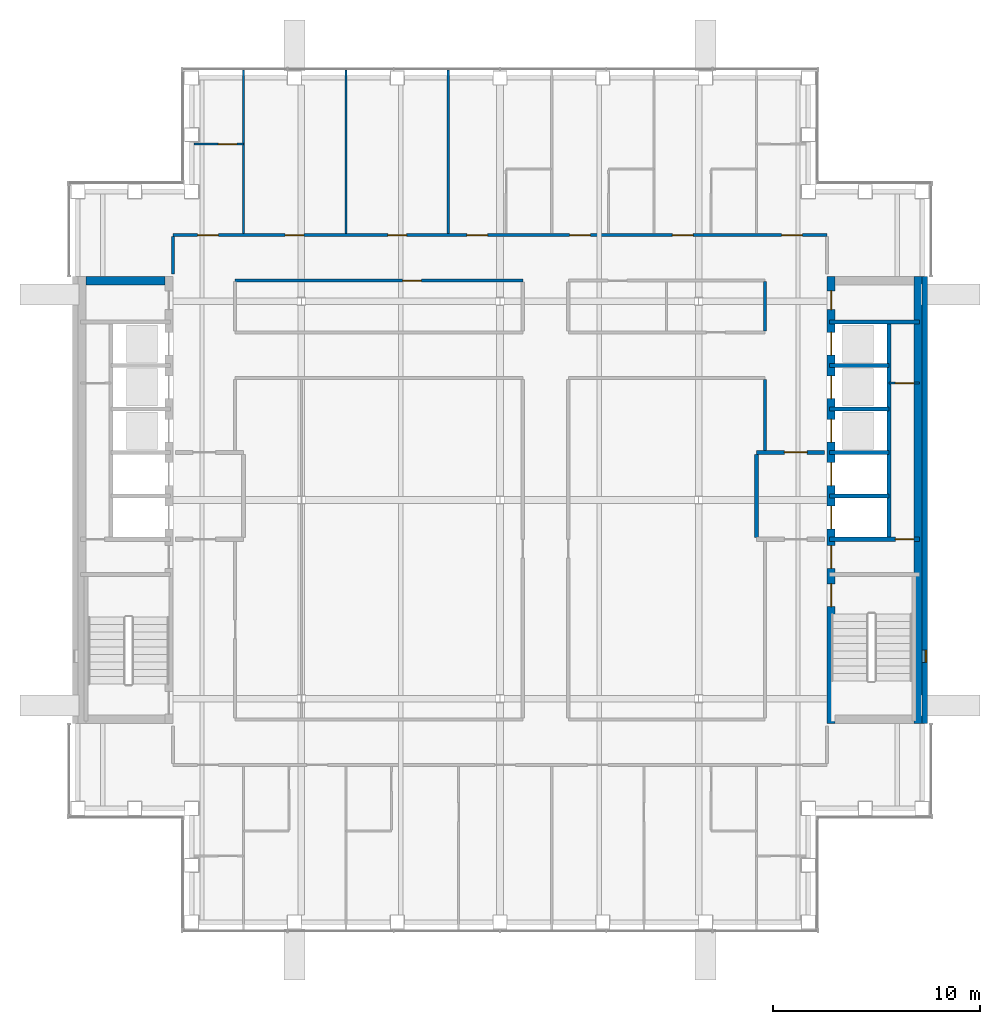
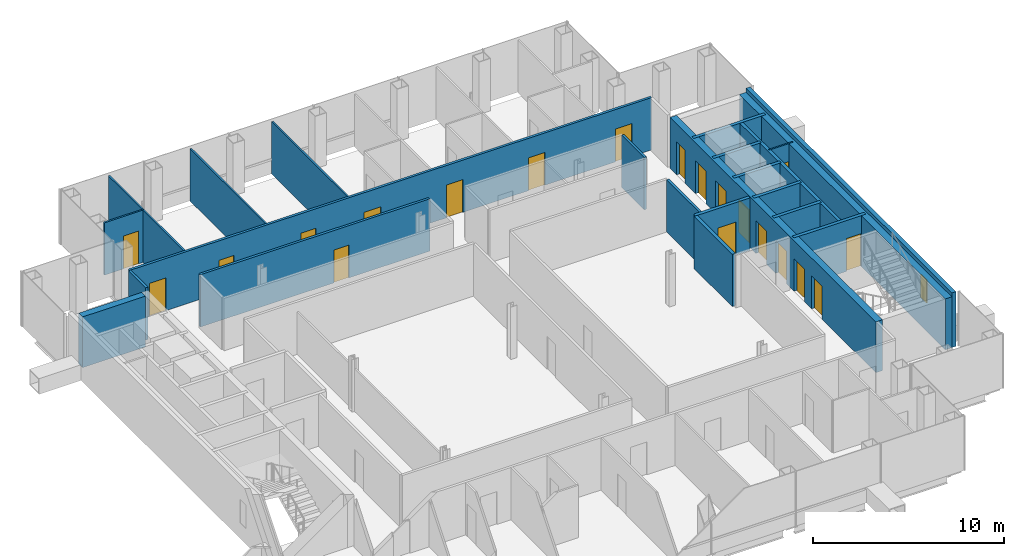
# One storey, part 11 of 14: 23 walls, 20 doors, 1 window, 21 openings.
"""IFC4 building model written with IfcOpenShell, lengths in metres."""

import ifcopenshell
import ifcopenshell.guid

model = None  # the IFC model being written
_history = None  # IfcOwnerHistory: only IFC2X3 demands one
_inside = {}  # id of a spatial element -> (the spatial element, [elements in it])
_under = {}  # id of a project, library or spatial element -> (it, [spatial elements below it])
_declared = {}  # id of a project -> (the project, [libraries it declares])
_typed = {}  # id of a type object -> (the type object, [elements of that type])
_made_of = {}  # id of a material, layer set ... -> (it, [elements and type objects made of it])


def new_model(schema):
    """Start an empty IFC model of exactly this schema.

    Asked for "IFC4X3", IfcOpenShell would pick the latest addendum, in which some entities
    have other attributes; the version numbers below select the first issue.
    IFC2X3 requires an IfcOwnerHistory on every rooted entity: one is made here for all.
    """
    global model, _history
    if schema == "IFC4X3":
        model = ifcopenshell.file(schema_version=(4, 3, 0, 0))
    else:
        model = ifcopenshell.file(schema=schema)
    _inside.clear()
    _under.clear()
    _declared.clear()
    _typed.clear()
    _made_of.clear()
    _history = None
    if model.schema == "IFC2X3":
        org = make("IfcOrganization", Name="unknown")
        user = make(
            "IfcPersonAndOrganization",
            ThePerson=make("IfcPerson", FamilyName="unknown"),
            TheOrganization=org,
        )
        app = make(
            "IfcApplication",
            ApplicationDeveloper=org,
            Version="unknown",
            ApplicationFullName="unknown",
            ApplicationIdentifier="unknown",
        )
        _history = make(
            "IfcOwnerHistory",
            OwningUser=user,
            OwningApplication=app,
            ChangeAction="ADDED",
            CreationDate=0,
        )
    return model


def make(cls, **values):
    """One entity of the class cls with the attributes given. An attribute that is None is left unset."""
    return model.create_entity(
        cls, **{name: value for name, value in values.items() if value is not None}
    )


def rooted(cls, **values):
    """An entity with a GlobalId (a new one), such as an element, a storey or a relation."""
    return make(cls, GlobalId=ifcopenshell.guid.new(), OwnerHistory=_history, **values)


def si_unit(unit_type, name, prefix=None):
    """IfcSIUnit, for example si_unit("LENGTHUNIT", "METRE", prefix="MILLI")."""
    return make("IfcSIUnit", UnitType=unit_type, Prefix=prefix, Name=name)


def assignment(units):
    """IfcUnitAssignment: the units of a project."""
    return None if units is None else make("IfcUnitAssignment", Units=units)


def point(xyz):
    """IfcCartesianPoint."""
    return None if xyz is None else make("IfcCartesianPoint", Coordinates=xyz)


def direction(xyz):
    """IfcDirection."""
    return None if xyz is None else make("IfcDirection", DirectionRatios=xyz)


def frame(location, z_axis=None, x_axis=None):
    """IfcAxis2Placement3D, a coordinate frame: its origin and axes. An axis left out is left unset."""
    return make(
        "IfcAxis2Placement3D",
        Location=point(location),
        Axis=direction(z_axis),
        RefDirection=direction(x_axis),
    )


def frame_2d(location, x_axis=None):
    """IfcAxis2Placement2D, a coordinate frame in the plane: its origin and x axis."""
    return make(
        "IfcAxis2Placement2D", Location=point(location), RefDirection=direction(x_axis)
    )


def origin():
    """The frame at (0, 0, 0) with its axes left unset."""
    return frame((0.0, 0.0, 0.0))


def place(relative_to, where):
    """IfcLocalPlacement: puts the frame where relative to a parent placement (None: the world)."""
    return make(
        "IfcLocalPlacement", PlacementRelTo=relative_to, RelativePlacement=where
    )


def context(
    kind, dimensions, precision=None, world=None, true_north=None, identifier=None
):
    """IfcGeometricRepresentationContext, for example the 3D "Model" context."""
    return make(
        "IfcGeometricRepresentationContext",
        ContextIdentifier=identifier,
        ContextType=kind,
        CoordinateSpaceDimension=dimensions,
        Precision=precision,
        WorldCoordinateSystem=world,
        TrueNorth=true_north,
    )


def subcontext(parent, identifier, kind, view, scale=None):
    """IfcGeometricRepresentationSubContext, for example "Body" below "Model"."""
    return make(
        "IfcGeometricRepresentationSubContext",
        ContextIdentifier=identifier,
        ContextType=kind,
        ParentContext=parent,
        TargetScale=scale,
        TargetView=view,
    )


def project(units=None, contexts=None):
    """IfcProject with its units and contexts."""
    return rooted(
        "IfcProject",
        Name="project",
        RepresentationContexts=contexts,
        UnitsInContext=assignment(units),
    )


def spatial(cls, under=None, at=None, **own):
    """A site, building, storey or space (cls), placed at a placement, below another one or the project."""
    s = rooted(cls, ObjectPlacement=at, **own)
    if under is not None:
        _under.setdefault(under.id(), (under, []))[1].append(s)
    return s


def profile(cls, at=None, kind="AREA", **sizes):
    """A parametric profile (cls). Its sizes go by their IFC names, for example OverallWidth=200.0."""
    return make(cls, ProfileType=kind, Position=at, **sizes)


def rectangle(**sizes):
    """IfcRectangleProfileDef."""
    return profile("IfcRectangleProfileDef", **sizes)


def extrude(swept, where, along, depth):
    """IfcExtrudedAreaSolid: the profile swept, set in the frame where, extruded along a direction by depth."""
    return make(
        "IfcExtrudedAreaSolid",
        SweptArea=swept,
        Position=where,
        ExtrudedDirection=direction(along),
        Depth=depth,
    )


def shape(context_of_items, identifier, shape_type, items):
    """IfcShapeRepresentation: the items that make up one representation, for example the "Body"."""
    return make(
        "IfcShapeRepresentation",
        ContextOfItems=context_of_items,
        RepresentationIdentifier=identifier,
        RepresentationType=shape_type,
        Items=items,
    )


def material(Name=None, Category=None):
    """IfcMaterial."""
    return make("IfcMaterial", Name=Name, Category=Category)


def layer(
    of_material, thickness, ventilated=None, Name=None, Category=None, Priority=None
):
    """IfcMaterialLayer: one layer of a wall or slab, of a material (None: an air gap)."""
    return make(
        "IfcMaterialLayer",
        Material=of_material,
        LayerThickness=thickness,
        IsVentilated=ventilated,
        Name=Name,
        Category=Category,
        Priority=Priority,
    )


def layer_set(layers, Name=None):
    """IfcMaterialLayerSet."""
    return make("IfcMaterialLayerSet", MaterialLayers=layers, LayerSetName=Name)


def made_of(thing, what):
    """Note that an element or type object is made of a material, layer set ...; save() writes the relation."""
    if what is not None:
        _made_of.setdefault(what.id(), (what, []))[1].append(thing)
    return thing


def type_object(cls, material=None, **own):
    """A type object (cls), such as IfcWallType, which elements share."""
    return made_of(rooted(cls, **own), material)


def element(
    cls,
    number,
    at=None,
    inside=None,
    cuts=None,
    type_object=None,
    material=None,
    context=None,
    identifier="Body",
    shape_type=None,
    held_by="IfcProductDefinitionShape",
    body=None,
    shapes=None,
    **own,
):
    """One element of the class cls, such as IfcWall. Its Tag is "e" and its number.

    at: its placement. inside: the storey or other place that contains it. cuts: it is an
    opening in that element (IfcRelVoidsElement). A single representation is given by context,
    identifier, shape_type and body (its items); several are given by shapes. held_by: the class
    of the entity that holds the representations. save() writes the other relations.
    """
    e = rooted(cls, Tag="e%d" % number, ObjectPlacement=at, **own)
    if body is not None:
        shapes = [shape(context, identifier, shape_type, body)]
    if shapes is not None:
        e.Representation = make(held_by, Representations=shapes)
    if inside is not None:
        _inside.setdefault(inside.id(), (inside, []))[1].append(e)
    if cuts is not None:
        rooted(
            "IfcRelVoidsElement", RelatingBuildingElement=cuts, RelatedOpeningElement=e
        )
    if type_object is not None:
        _typed.setdefault(type_object.id(), (type_object, []))[1].append(e)
    return made_of(e, material)


def fill(opening, filler):
    """IfcRelFillsElement: the door or window that sits in an opening."""
    return rooted(
        "IfcRelFillsElement",
        RelatingOpeningElement=opening,
        RelatedBuildingElement=filler,
    )


def aggregate(whole, parts):
    """IfcRelAggregates: a whole, such as a stair, and the parts it consists of."""
    return rooted("IfcRelAggregates", RelatingObject=whole, RelatedObjects=parts)


def save(model, path):
    """Write the relations noted so far, then the file.

    IfcRelAggregates (storeys below a building ...), IfcRelContainedInSpatialStructure (elements
    in a storey), IfcRelDefinesByType, IfcRelAssociatesMaterial and IfcRelDeclares: one each for
    every whole, place, type object, material and project.
    """
    for whole, parts in _under.values():
        aggregate(whole, parts)
    for where, things in _inside.values():
        rooted(
            "IfcRelContainedInSpatialStructure",
            RelatedElements=things,
            RelatingStructure=where,
        )
    for kind, things in _typed.values():
        rooted("IfcRelDefinesByType", RelatedObjects=things, RelatingType=kind)
    for what, things in _made_of.values():
        rooted("IfcRelAssociatesMaterial", RelatedObjects=things, RelatingMaterial=what)
    for by, libraries in _declared.values():
        rooted("IfcRelDeclares", RelatingContext=by, RelatedDefinitions=libraries)
    model.write(path)


model = new_model("IFC4")

# Units and contexts
model_context = context("Model", 3, precision=1e-05, world=origin(), true_north=direction((0.0, 1.0)))
body_context = subcontext(model_context, "Body", "Model", "MODEL_VIEW")
ifc_project = project(units=[si_unit("LENGTHUNIT", "METRE"), si_unit("AREAUNIT", "SQUARE_METRE"), si_unit("VOLUMEUNIT", "CUBIC_METRE"), si_unit("PLANEANGLEUNIT", "RADIAN"), si_unit("MASSUNIT", "GRAM", prefix="KILO")], contexts=[model_context])

# Site, building, storey
site_placement = place(None, origin())
site = spatial("IfcSite", under=ifc_project, at=site_placement, CompositionType="ELEMENT")
building_placement = place(site_placement, origin())
building = spatial("IfcBuilding", under=site, at=building_placement, Name="Cobrizo Arcos Hotel Tower", CompositionType="ELEMENT")
storey_placement = place(building_placement, frame((0.0, 0.0, 208.5)))
storey = spatial("IfcBuildingStorey", under=building, at=storey_placement, Name="L54", CompositionType="ELEMENT", Elevation=208.5)

# Wall, opening, door
ifc_material_1 = material(Name="Gypsum board partition")
ifc_layer_1 = layer(ifc_material_1, 0.14990234375)
ifc_layer_set_1 = layer_set([ifc_layer_1], Name="Corridor wall EI 60 150")
wall_type_1 = type_object("IfcWallType", Name="Corridor wall EI 60 150", PredefinedType="PARTITIONING", material=ifc_layer_set_1)
wall_1_placement = place(storey_placement, frame((-12.800048828125, 10.60009765625, 0.0), z_axis=(0.0, 0.0, 1.0), x_axis=(1.0, 0.0, 0.0)))
wall_1 = element("IfcWall", 1, at=wall_1_placement, inside=storey, type_object=wall_type_1, Name="Partition 033", PredefinedType="PARTITIONING", context=body_context, shape_type="SweptSolid", body=[
    extrude(rectangle(XDim=13.900146484375, YDim=0.14990234375, at=frame_2d((6.9501953125, 0.0))), origin(), (0.0, 0.0, 1.0), 3.35009765625),
])
opening_1_placement = place(wall_1_placement, frame((8.10009765625, 0.0, 0.0)))
opening_1 = element("IfcOpeningElement", 2, at=opening_1_placement, cuts=wall_1, Name="Opening RD-10", PredefinedType="OPENING", context=body_context, shape_type="SweptSolid", body=[
    extrude(rectangle(XDim=0.89990234375, YDim=2.10009765625, at=frame_2d((0.449951171875, 1.050048828125))), frame((0.0, 0.0869140625, 0.0), z_axis=(0.0, -1.0, 0.0), x_axis=(1.0, 0.0, 0.0)), (0.0, 0.0, 1.0), 0.173828125),
])
ifc_material_2 = material(Name="Timber door leaf", Category="wood")
door_type_1 = type_object("IfcDoorType", Name="Room door FD30 900x2100", OperationType="SINGLE_SWING_LEFT", PredefinedType="DOOR", material=ifc_material_2)
door_1_placement = place(opening_1_placement, origin())
door_1 = element("IfcDoor", 3, at=door_1_placement, inside=storey, type_object=door_type_1, Name="Door RD-10", OperationType="SINGLE_SWING_RIGHT", OverallHeight=2.10009765625, OverallWidth=0.89990234375, PredefinedType="DOOR", context=body_context, shape_type="SweptSolid", body=[
    extrude(rectangle(XDim=0.89990234375, YDim=2.10009765625, at=frame_2d((0.449951171875, 1.050048828125))), frame((0.0, 0.02490234375, 0.0), z_axis=(0.0, -1.0, 0.0), x_axis=(1.0, 0.0, 0.0)), (0.0, 0.0, 1.0), 0.050048828125),
])
fill(opening_1, door_1)

# Wall, openings, doors
wall_2_placement = place(storey_placement, frame((-15.800048828125, 12.800048828125, 0.0), z_axis=(0.0, 0.0, 1.0), x_axis=(1.0, 0.0, 0.0)))
wall_2 = element("IfcWall", 4, at=wall_2_placement, inside=storey, type_object=wall_type_1, Name="Partition 035", PredefinedType="PARTITIONING", context=body_context, shape_type="SweptSolid", body=[
    extrude(rectangle(XDim=31.60009765625, YDim=0.14990234375, at=frame_2d((15.800048828125, 0.0))), origin(), (0.0, 0.0, 1.0), 3.35009765625),
])
opening_2_placement = place(wall_2_placement, frame((5.4169921875, 0.0, 0.0)))
opening_2 = element("IfcOpeningElement", 5, at=opening_2_placement, cuts=wall_2, Name="Opening RD-06", PredefinedType="OPENING", context=body_context, shape_type="SweptSolid", body=[
    extrude(rectangle(XDim=0.89990234375, YDim=2.10009765625, at=frame_2d((0.449951171875, 1.050048828125))), frame((0.0, 0.0869140625, 0.0), z_axis=(0.0, -1.0, 0.0), x_axis=(1.0, 0.0, 0.0)), (0.0, 0.0, 1.0), 0.173828125),
])
opening_3_placement = place(wall_2_placement, frame((10.384033203125, 0.0, 0.0)))
opening_3 = element("IfcOpeningElement", 6, at=opening_3_placement, cuts=wall_2, Name="Opening RD-07", PredefinedType="OPENING", context=body_context, shape_type="SweptSolid", body=[
    extrude(rectangle(XDim=0.89990234375, YDim=2.10009765625, at=frame_2d((0.449951171875, 1.050048828125))), frame((0.0, 0.0869140625, 0.0), z_axis=(0.0, -1.0, 0.0), x_axis=(1.0, 0.0, 0.0)), (0.0, 0.0, 1.0), 0.173828125),
])
opening_4_placement = place(wall_2_placement, frame((14.199951171875, 0.0, 0.0)))
opening_4 = element("IfcOpeningElement", 7, at=opening_4_placement, cuts=wall_2, Name="Opening GD-01", PredefinedType="OPENING", context=body_context, shape_type="SweptSolid", body=[
    extrude(rectangle(XDim=1.0, YDim=2.10009765625, at=frame_2d((0.5, 1.050048828125))), frame((0.0, 0.0869140625, 0.0), z_axis=(0.0, -1.0, 0.0), x_axis=(1.0, 0.0, 0.0)), (0.0, 0.0, 1.0), 0.173828125),
])
opening_5_placement = place(wall_2_placement, frame((19.166015625, 0.0, 0.0)))
opening_5 = element("IfcOpeningElement", 8, at=opening_5_placement, cuts=wall_2, Name="Opening GD-02", PredefinedType="OPENING", context=body_context, shape_type="SweptSolid", body=[
    extrude(rectangle(XDim=1.0, YDim=2.10009765625, at=frame_2d((0.5, 1.050048828125))), frame((0.0, 0.0869140625, 0.0), z_axis=(0.0, -1.0, 0.0), x_axis=(1.0, 0.0, 0.0)), (0.0, 0.0, 1.0), 0.173828125),
])
opening_6_placement = place(wall_2_placement, frame((24.134033203125, 0.0, 0.0)))
opening_6 = element("IfcOpeningElement", 9, at=opening_6_placement, cuts=wall_2, Name="Opening GD-03", PredefinedType="OPENING", context=body_context, shape_type="SweptSolid", body=[
    extrude(rectangle(XDim=1.0, YDim=2.10009765625, at=frame_2d((0.5, 1.050048828125))), frame((0.0, 0.0869140625, 0.0), z_axis=(0.0, -1.0, 0.0), x_axis=(1.0, 0.0, 0.0)), (0.0, 0.0, 1.0), 0.173828125),
])
opening_7_placement = place(wall_2_placement, frame((1.19189453125, 0.0, 0.0)))
opening_7 = element("IfcOpeningElement", 10, at=opening_7_placement, cuts=wall_2, Name="Opening GD-08", PredefinedType="OPENING", context=body_context, shape_type="SweptSolid", body=[
    extrude(rectangle(XDim=1.0, YDim=2.10009765625, at=frame_2d((0.5, 1.050048828125))), frame((0.0, 0.0869140625, 0.0), z_axis=(0.0, -1.0, 0.0), x_axis=(1.0, 0.0, 0.0)), (0.0, 0.0, 1.0), 0.173828125),
])
opening_8_placement = place(wall_2_placement, frame((29.408935546875, 0.0, 0.0)))
opening_8 = element("IfcOpeningElement", 11, at=opening_8_placement, cuts=wall_2, Name="Opening GD-10", PredefinedType="OPENING", context=body_context, shape_type="SweptSolid", body=[
    extrude(rectangle(XDim=1.0, YDim=2.10009765625, at=frame_2d((0.5, 1.050048828125))), frame((0.0, 0.0869140625, 0.0), z_axis=(0.0, -1.0, 0.0), x_axis=(1.0, 0.0, 0.0)), (0.0, 0.0, 1.0), 0.173828125),
])
door_type_2 = type_object("IfcDoorType", Name="Guest room door FD30S 1000x2100", OperationType="SINGLE_SWING_LEFT", PredefinedType="DOOR", material=ifc_material_2)
door_2_placement = place(opening_4_placement, origin())
door_2 = element("IfcDoor", 12, at=door_2_placement, inside=storey, type_object=door_type_2, Name="Door GD-01", OperationType="SINGLE_SWING_RIGHT", OverallHeight=2.10009765625, OverallWidth=1.0, PredefinedType="DOOR", context=body_context, shape_type="SweptSolid", body=[
    extrude(rectangle(XDim=1.0, YDim=2.10009765625, at=frame_2d((0.5, 1.050048828125))), frame((0.0, 0.02490234375, 0.0), z_axis=(0.0, -1.0, 0.0), x_axis=(1.0, 0.0, 0.0)), (0.0, 0.0, 1.0), 0.050048828125),
])
fill(opening_4, door_2)
door_3_placement = place(opening_5_placement, origin())
door_3 = element("IfcDoor", 13, at=door_3_placement, inside=storey, type_object=door_type_2, Name="Door GD-02", OperationType="SINGLE_SWING_RIGHT", OverallHeight=2.10009765625, OverallWidth=1.0, PredefinedType="DOOR", context=body_context, shape_type="SweptSolid", body=[
    extrude(rectangle(XDim=1.0, YDim=2.10009765625, at=frame_2d((0.5, 1.050048828125))), frame((0.0, 0.02490234375, 0.0), z_axis=(0.0, -1.0, 0.0), x_axis=(1.0, 0.0, 0.0)), (0.0, 0.0, 1.0), 0.050048828125),
])
fill(opening_5, door_3)
door_4_placement = place(opening_6_placement, origin())
door_4 = element("IfcDoor", 14, at=door_4_placement, inside=storey, type_object=door_type_2, Name="Door GD-03", OperationType="SINGLE_SWING_LEFT", OverallHeight=2.10009765625, OverallWidth=1.0, PredefinedType="DOOR", context=body_context, shape_type="SweptSolid", body=[
    extrude(rectangle(XDim=1.0, YDim=2.10009765625, at=frame_2d((0.5, 1.050048828125))), frame((0.0, 0.02490234375, 0.0), z_axis=(0.0, -1.0, 0.0), x_axis=(1.0, 0.0, 0.0)), (0.0, 0.0, 1.0), 0.050048828125),
])
fill(opening_6, door_4)
door_5_placement = place(opening_7_placement, origin())
door_5 = element("IfcDoor", 15, at=door_5_placement, inside=storey, type_object=door_type_2, Name="Door GD-08", OperationType="SINGLE_SWING_LEFT", OverallHeight=2.10009765625, OverallWidth=1.0, PredefinedType="DOOR", context=body_context, shape_type="SweptSolid", body=[
    extrude(rectangle(XDim=1.0, YDim=2.10009765625, at=frame_2d((0.5, 1.050048828125))), frame((0.0, 0.02490234375, 0.0), z_axis=(0.0, -1.0, 0.0), x_axis=(1.0, 0.0, 0.0)), (0.0, 0.0, 1.0), 0.050048828125),
])
fill(opening_7, door_5)
door_6_placement = place(opening_8_placement, origin())
door_6 = element("IfcDoor", 16, at=door_6_placement, inside=storey, type_object=door_type_2, Name="Door GD-10", OperationType="SINGLE_SWING_LEFT", OverallHeight=2.10009765625, OverallWidth=1.0, PredefinedType="DOOR", context=body_context, shape_type="SweptSolid", body=[
    extrude(rectangle(XDim=1.0, YDim=2.10009765625, at=frame_2d((0.5, 1.050048828125))), frame((0.0, 0.02490234375, 0.0), z_axis=(0.0, -1.0, 0.0), x_axis=(1.0, 0.0, 0.0)), (0.0, 0.0, 1.0), 0.050048828125),
])
fill(opening_8, door_6)
door_7_placement = place(opening_2_placement, origin())
door_7 = element("IfcDoor", 17, at=door_7_placement, inside=storey, type_object=door_type_1, Name="Door RD-06", OperationType="SINGLE_SWING_RIGHT", OverallHeight=2.10009765625, OverallWidth=0.89990234375, PredefinedType="DOOR", context=body_context, shape_type="SweptSolid", body=[
    extrude(rectangle(XDim=0.89990234375, YDim=2.10009765625, at=frame_2d((0.449951171875, 1.050048828125))), frame((0.0, 0.02490234375, 0.0), z_axis=(0.0, -1.0, 0.0), x_axis=(1.0, 0.0, 0.0)), (0.0, 0.0, 1.0), 0.050048828125),
])
fill(opening_2, door_7)
door_8_placement = place(opening_3_placement, origin())
door_8 = element("IfcDoor", 18, at=door_8_placement, inside=storey, type_object=door_type_1, Name="Door RD-07", OperationType="SINGLE_SWING_LEFT", OverallHeight=2.10009765625, OverallWidth=0.89990234375, PredefinedType="DOOR", context=body_context, shape_type="SweptSolid", body=[
    extrude(rectangle(XDim=0.89990234375, YDim=2.10009765625, at=frame_2d((0.449951171875, 1.050048828125))), frame((0.0, 0.02490234375, 0.0), z_axis=(0.0, -1.0, 0.0), x_axis=(1.0, 0.0, 0.0)), (0.0, 0.0, 1.0), 0.050048828125),
])
fill(opening_3, door_8)

# Walls
wall_3_placement = place(storey_placement, frame((-15.800048828125, 10.919921875, 0.0), z_axis=(0.0, 0.0, 1.0), x_axis=(0.0, 1.0, 0.0)))
element("IfcWall", 19, at=wall_3_placement, inside=storey, type_object=wall_type_1, Name="Partition 044", PredefinedType="PARTITIONING", context=body_context, shape_type="SweptSolid", body=[
    extrude(rectangle(XDim=1.80517578125, YDim=0.14990234375, at=frame_2d((0.902587890625, 0.0))), origin(), (0.0, 0.0, 1.0), 3.35009765625),
])
wall_4_placement = place(storey_placement, frame((12.800048828125, 2.39990234375, 0.0), z_axis=(0.0, 0.0, 1.0), x_axis=(0.0, 1.0, 0.0)))
element("IfcWall", 20, at=wall_4_placement, inside=storey, type_object=wall_type_1, Name="Partition 079", PredefinedType="PARTITIONING", context=body_context, shape_type="SweptSolid", body=[
    extrude(rectangle(XDim=3.425048828125, YDim=0.14990234375, at=frame_2d((1.71240234375, 0.0))), origin(), (0.0, 0.0, 1.0), 3.35009765625),
])
wall_5_placement = place(storey_placement, frame((12.800048828125, 8.175048828125, 0.0), z_axis=(0.0, 0.0, 1.0), x_axis=(0.0, 1.0, 0.0)))
element("IfcWall", 21, at=wall_5_placement, inside=storey, type_object=wall_type_1, Name="Partition 080", PredefinedType="PARTITIONING", context=body_context, shape_type="SweptSolid", body=[
    extrude(rectangle(XDim=2.375, YDim=0.14990234375, at=frame_2d((1.1875, 0.0))), origin(), (0.0, 0.0, 1.0), 3.35009765625),
])

# Wall, opening, window
ifc_material_3 = material(Name="Aluminium composite panel pale metal", Category="aluminium")
ifc_layer_2 = layer(ifc_material_3, 0.25)
ifc_layer_set_2 = layer_set([ifc_layer_2], Name="EW-1 insulated panel wall 250")
wall_type_2 = type_object("IfcWallType", Name="EW-1 insulated panel wall 250", PredefinedType="SOLIDWALL", material=ifc_layer_set_2)
wall_6_placement = place(storey_placement, frame((20.52490234375, -10.800048828125, 0.0), z_axis=(0.0, 0.0, 1.0), x_axis=(0.0, 1.0, 0.0)))
wall_6 = element("IfcWall", 22, at=wall_6_placement, inside=storey, type_object=wall_type_2, Name="Core face wall L54 E", PredefinedType="SOLIDWALL", context=body_context, shape_type="SweptSolid", body=[
    extrude(rectangle(XDim=21.60009765625, YDim=0.25, at=frame_2d((10.800048828125, 0.0))), origin(), (0.0, 0.0, 1.0), 3.5),
])
opening_9_placement = place(wall_6_placement, frame((2.949951171875, 0.0, 1.0)))
opening_9 = element("IfcOpeningElement", 23, at=opening_9_placement, cuts=wall_6, Name="Opening W-121", PredefinedType="OPENING", context=body_context, shape_type="SweptSolid", body=[
    extrude(rectangle(XDim=0.60009765625, YDim=1.5, at=frame_2d((0.300048828125, 0.75))), frame((0.0, 0.136962890625, 0.0), z_axis=(0.0, -1.0, 0.0), x_axis=(1.0, 0.0, 0.0)), (0.0, 0.0, 1.0), 0.27392578125),
])
ifc_material_4 = material(Name="Aluminium 6063-T6 and clear laminated glass", Category="aluminium")
window_type = type_object("IfcWindowType", Name="W-C1 core stair slot window 600x1500", PartitioningType="SINGLE_PANEL", PredefinedType="WINDOW", material=ifc_material_4)
window_placement = place(opening_9_placement, origin())
window = element("IfcWindow", 24, at=window_placement, inside=storey, type_object=window_type, Name="Core face wall L54 E window W-121", OverallHeight=1.5, OverallWidth=0.60009765625, PartitioningType="SINGLE_PANEL", PredefinedType="WINDOW", context=body_context, shape_type="SweptSolid", body=[
    extrude(rectangle(XDim=0.60009765625, YDim=1.5, at=frame_2d((0.300048828125, 0.75))), frame((0.0, -0.034912109375, 0.0), z_axis=(0.0, -1.0, 0.0), x_axis=(1.0, 0.0, 0.0)), (0.0, 0.0, 1.0), 0.06005859375),
])
fill(opening_9, window)

# Wall, opening, door
ifc_layer_3 = layer(ifc_material_1, 0.10009765625)
ifc_layer_set_3 = layer_set([ifc_layer_3], Name="Partition EI 30 100")
wall_type_3 = type_object("IfcWallType", Name="Partition EI 30 100", PredefinedType="PARTITIONING", material=ifc_layer_set_3)
wall_7_placement = place(storey_placement, frame((18.800048828125, 5.64990234375, 0.0), z_axis=(0.0, 0.0, 1.0), x_axis=(1.0, 0.0, 0.0)))
wall_7 = element("IfcWall", 25, at=wall_7_placement, inside=storey, type_object=wall_type_3, Name="Partition 024", PredefinedType="PARTITIONING", context=body_context, shape_type="SweptSolid", body=[
    extrude(rectangle(XDim=1.47998046875, YDim=0.10009765625, at=frame_2d((0.739990234375, 0.0))), origin(), (0.0, 0.0, 1.0), 3.25),
])
opening_10_placement = place(wall_7_placement, frame((0.300048828125, 0.0, 0.0)))
opening_10 = element("IfcOpeningElement", 26, at=opening_10_placement, cuts=wall_7, Name="Opening RD-05", PredefinedType="OPENING", context=body_context, shape_type="SweptSolid", body=[
    extrude(rectangle(XDim=0.89990234375, YDim=2.10009765625, at=frame_2d((0.449951171875, 1.050048828125))), frame((0.0, 0.06201171875, 0.0), z_axis=(0.0, -1.0, 0.0), x_axis=(1.0, 0.0, 0.0)), (0.0, 0.0, 1.0), 0.1240234375),
])
door_9_placement = place(opening_10_placement, origin())
door_9 = element("IfcDoor", 27, at=door_9_placement, inside=storey, type_object=door_type_1, Name="Door RD-05", OperationType="SINGLE_SWING_LEFT", OverallHeight=2.10009765625, OverallWidth=0.89990234375, PredefinedType="DOOR", context=body_context, shape_type="SweptSolid", body=[
    extrude(rectangle(XDim=0.89990234375, YDim=2.10009765625, at=frame_2d((0.449951171875, 1.050048828125))), frame((0.0, 0.02490234375, 0.0), z_axis=(0.0, -1.0, 0.0), x_axis=(1.0, 0.0, 0.0)), (0.0, 0.0, 1.0), 0.050048828125),
])
fill(opening_10, door_9)

wall_8_placement = place(storey_placement, frame((-14.780029296875, 17.199951171875, 0.0), z_axis=(0.0, 0.0, 1.0), x_axis=(1.0, 0.0, 0.0)))
wall_8 = element("IfcWall", 28, at=wall_8_placement, inside=storey, type_object=wall_type_3, Name="Partition 039", PredefinedType="PARTITIONING", context=body_context, shape_type="SweptSolid", body=[
    extrude(rectangle(XDim=2.380126953125, YDim=0.10009765625, at=frame_2d((1.18994140625, 0.0))), origin(), (0.0, 0.0, 1.0), 3.35009765625),
])
opening_11_placement = place(wall_8_placement, frame((1.16796875, 0.0, 0.0)))
opening_11 = element("IfcOpeningElement", 29, at=opening_11_placement, cuts=wall_8, Name="Opening ED-09", PredefinedType="OPENING", context=body_context, shape_type="SweptSolid", body=[
    extrude(rectangle(XDim=0.89990234375, YDim=2.10009765625, at=frame_2d((0.449951171875, 1.050048828125))), frame((0.0, 0.06201171875, 0.0), z_axis=(0.0, -1.0, 0.0), x_axis=(1.0, 0.0, 0.0)), (0.0, 0.0, 1.0), 0.1240234375),
])
door_type_3 = type_object("IfcDoorType", Name="En-suite door 900x2100", OperationType="SINGLE_SWING_LEFT", PredefinedType="DOOR", material=ifc_material_2)
door_10_placement = place(opening_11_placement, origin())
door_10 = element("IfcDoor", 30, at=door_10_placement, inside=storey, type_object=door_type_3, Name="Door ED-09", OperationType="SINGLE_SWING_RIGHT", OverallHeight=2.10009765625, OverallWidth=0.89990234375, PredefinedType="DOOR", context=body_context, shape_type="SweptSolid", body=[
    extrude(rectangle(XDim=0.89990234375, YDim=2.10009765625, at=frame_2d((0.449951171875, 1.050048828125))), frame((0.0, 0.02490234375, 0.0), z_axis=(0.0, -1.0, 0.0), x_axis=(1.0, 0.0, 0.0)), (0.0, 0.0, 1.0), 0.050048828125),
])
fill(opening_11, door_10)

# Walls
for number, where, z_axis, x_axis, name in (
    (31, (-12.39990234375, 12.875, 0.0), (0.0, 0.0, 1.0), (0.0, 1.0, 0.0), "Partition 050"),
    (32, (-7.449951171875, 12.875, 0.0), (0.0, 0.0, 1.0), (0.0, 1.0, 0.0), "Partition 058"),
    (33, (-2.5, 12.875, 0.0), (0.0, 0.0, 1.0), (0.0, 1.0, 0.0), "Partition 060"),
):
    element("IfcWall", number, at=place(storey_placement, frame(where, z_axis=z_axis, x_axis=x_axis)), inside=storey, type_object=wall_type_3, Name=name, PredefinedType="PARTITIONING", context=body_context, shape_type="SweptSolid", body=[
        extrude(rectangle(XDim=7.905029296875, YDim=0.10009765625, at=frame_2d((3.95263671875, 0.0))), origin(), (0.0, 0.0, 1.0), 3.35009765625),
    ])

# Wall, openings, doors
ifc_material_5 = material(Name="Concrete f'c 40 MPa", Category="concrete")
ifc_layer_4 = layer(ifc_material_5, 0.39990234375)
ifc_layer_set_4 = layer_set([ifc_layer_4], Name="RC core wall 400 f'c 40")
wall_type_4 = type_object("IfcWallType", Name="RC core wall 400 f'c 40", PredefinedType="SHEAR", material=ifc_layer_set_4)
wall_9_placement = place(storey_placement, frame((16.0, -10.800048828125, 0.0), z_axis=(0.0, 0.0, 1.0), x_axis=(0.0, 1.0, 0.0)))
wall_9 = element("IfcWall", 34, at=wall_9_placement, inside=storey, type_object=wall_type_4, Name="Core wall CW4, east core, inner face, L54", PredefinedType="SHEAR", context=body_context, shape_type="SweptSolid", body=[
    extrude(rectangle(XDim=21.60009765625, YDim=0.39990234375, at=frame_2d((10.800048828125, 0.0))), origin(), (0.0, 0.0, 1.0), 3.25),
])
opening_12_placement = place(wall_9_placement, frame((9.39990234375, 0.0, 0.0)))
opening_12 = element("IfcOpeningElement", 35, at=opening_12_placement, cuts=wall_9, Name="Opening LD-06", PredefinedType="OPENING", context=body_context, shape_type="SweptSolid", body=[
    extrude(rectangle(XDim=1.10009765625, YDim=2.10009765625, at=frame_2d((0.550048828125, 1.050048828125))), frame((0.0, 0.2119140625, 0.0), z_axis=(0.0, -1.0, 0.0), x_axis=(1.0, 0.0, 0.0)), (0.0, 0.0, 1.0), 0.423828125),
])
opening_13_placement = place(wall_9_placement, frame((11.5, 0.0, 0.0)))
opening_13 = element("IfcOpeningElement", 36, at=opening_13_placement, cuts=wall_9, Name="Opening LD-07", PredefinedType="OPENING", context=body_context, shape_type="SweptSolid", body=[
    extrude(rectangle(XDim=1.10009765625, YDim=2.10009765625, at=frame_2d((0.550048828125, 1.050048828125))), frame((0.0, 0.2119140625, 0.0), z_axis=(0.0, -1.0, 0.0), x_axis=(1.0, 0.0, 0.0)), (0.0, 0.0, 1.0), 0.423828125),
])
opening_14_placement = place(wall_9_placement, frame((13.60009765625, 0.0, 0.0)))
opening_14 = element("IfcOpeningElement", 37, at=opening_14_placement, cuts=wall_9, Name="Opening LD-08", PredefinedType="OPENING", context=body_context, shape_type="SweptSolid", body=[
    extrude(rectangle(XDim=1.10009765625, YDim=2.10009765625, at=frame_2d((0.550048828125, 1.050048828125))), frame((0.0, 0.2119140625, 0.0), z_axis=(0.0, -1.0, 0.0), x_axis=(1.0, 0.0, 0.0)), (0.0, 0.0, 1.0), 0.423828125),
])
opening_15_placement = place(wall_9_placement, frame((15.699951171875, 0.0, 0.0)))
opening_15 = element("IfcOpeningElement", 38, at=opening_15_placement, cuts=wall_9, Name="Opening LD-09", PredefinedType="OPENING", context=body_context, shape_type="SweptSolid", body=[
    extrude(rectangle(XDim=1.10009765625, YDim=2.10009765625, at=frame_2d((0.550048828125, 1.050048828125))), frame((0.0, 0.2119140625, 0.0), z_axis=(0.0, -1.0, 0.0), x_axis=(1.0, 0.0, 0.0)), (0.0, 0.0, 1.0), 0.423828125),
])
opening_16_placement = place(wall_9_placement, frame((17.800048828125, 0.0, 0.0)))
opening_16 = element("IfcOpeningElement", 39, at=opening_16_placement, cuts=wall_9, Name="Opening LD-10", PredefinedType="OPENING", context=body_context, shape_type="SweptSolid", body=[
    extrude(rectangle(XDim=1.10009765625, YDim=2.10009765625, at=frame_2d((0.550048828125, 1.050048828125))), frame((0.0, 0.2119140625, 0.0), z_axis=(0.0, -1.0, 0.0), x_axis=(1.0, 0.0, 0.0)), (0.0, 0.0, 1.0), 0.423828125),
])
opening_17_placement = place(wall_9_placement, frame((5.64208984375, 0.0, 0.0)))
opening_17 = element("IfcOpeningElement", 40, at=opening_17_placement, cuts=wall_9, Name="Opening SD-02", PredefinedType="OPENING", context=body_context, shape_type="SweptSolid", body=[
    extrude(rectangle(XDim=1.10009765625, YDim=2.10009765625, at=frame_2d((0.550048828125, 1.050048828125))), frame((0.0, 0.2119140625, 0.0), z_axis=(0.0, -1.0, 0.0), x_axis=(1.0, 0.0, 0.0)), (0.0, 0.0, 1.0), 0.423828125),
])
opening_18_placement = place(wall_9_placement, frame((7.5, 0.0, 0.0)))
opening_18 = element("IfcOpeningElement", 41, at=opening_18_placement, cuts=wall_9, Name="Opening FD-04", PredefinedType="OPENING", context=body_context, shape_type="SweptSolid", body=[
    extrude(rectangle(XDim=1.10009765625, YDim=2.10009765625, at=frame_2d((0.550048828125, 1.050048828125))), frame((0.0, 0.2119140625, 0.0), z_axis=(0.0, -1.0, 0.0), x_axis=(1.0, 0.0, 0.0)), (0.0, 0.0, 1.0), 0.423828125),
])
opening_19_placement = place(wall_9_placement, frame((20.0, 0.0, 0.0)))
opening_19 = element("IfcOpeningElement", 42, at=opening_19_placement, cuts=wall_9, Name="Opening ED-01", PredefinedType="OPENING", context=body_context, shape_type="SweptSolid", body=[
    extrude(rectangle(XDim=0.89990234375, YDim=2.10009765625, at=frame_2d((0.449951171875, 1.050048828125))), frame((0.0, 0.2119140625, 0.0), z_axis=(0.0, -1.0, 0.0), x_axis=(1.0, 0.0, 0.0)), (0.0, 0.0, 1.0), 0.423828125),
])
door_11_placement = place(opening_19_placement, origin())
door_11 = element("IfcDoor", 43, at=door_11_placement, inside=storey, type_object=door_type_3, Name="Door ED-01", OperationType="SINGLE_SWING_RIGHT", OverallHeight=2.10009765625, OverallWidth=0.89990234375, PredefinedType="DOOR", context=body_context, shape_type="SweptSolid", body=[
    extrude(rectangle(XDim=0.89990234375, YDim=2.10009765625, at=frame_2d((0.449951171875, 1.050048828125))), frame((0.0, 0.02490234375, 0.0), z_axis=(0.0, -1.0, 0.0), x_axis=(1.0, 0.0, 0.0)), (0.0, 0.0, 1.0), 0.050048828125),
])
fill(opening_19, door_11)
ifc_material_6 = material(Name="Steel door leaf", Category="steel")
door_type_4 = type_object("IfcDoorType", Name="Fire door FD60 1100x2100", OperationType="SINGLE_SWING_LEFT", PredefinedType="DOOR", material=ifc_material_6)
door_12_placement = place(opening_18_placement, origin())
door_12 = element("IfcDoor", 44, at=door_12_placement, inside=storey, type_object=door_type_4, Name="Door FD-04", OperationType="SINGLE_SWING_LEFT", OverallHeight=2.10009765625, OverallWidth=1.10009765625, PredefinedType="DOOR", context=body_context, shape_type="SweptSolid", body=[
    extrude(rectangle(XDim=1.10009765625, YDim=2.10009765625, at=frame_2d((0.550048828125, 1.050048828125))), frame((0.0, 0.02490234375, 0.0), z_axis=(0.0, -1.0, 0.0), x_axis=(1.0, 0.0, 0.0)), (0.0, 0.0, 1.0), 0.050048828125),
])
fill(opening_18, door_12)
door_type_5 = type_object("IfcDoorType", Name="Lift landing door 1100x2100", OperationType="SLIDING_TO_LEFT", PredefinedType="DOOR", material=ifc_material_6)
door_13_placement = place(opening_12_placement, origin())
door_13 = element("IfcDoor", 45, at=door_13_placement, inside=storey, type_object=door_type_5, Name="Lift landing door LD-06", OperationType="SLIDING_TO_LEFT", OverallHeight=2.10009765625, OverallWidth=1.10009765625, PredefinedType="DOOR", context=body_context, shape_type="SweptSolid", body=[
    extrude(rectangle(XDim=1.10009765625, YDim=2.10009765625, at=frame_2d((0.550048828125, 1.050048828125))), frame((0.0, 0.02490234375, 0.0), z_axis=(0.0, -1.0, 0.0), x_axis=(1.0, 0.0, 0.0)), (0.0, 0.0, 1.0), 0.050048828125),
])
fill(opening_12, door_13)
door_14_placement = place(opening_13_placement, origin())
door_14 = element("IfcDoor", 46, at=door_14_placement, inside=storey, type_object=door_type_5, Name="Lift landing door LD-07", OperationType="SLIDING_TO_LEFT", OverallHeight=2.10009765625, OverallWidth=1.10009765625, PredefinedType="DOOR", context=body_context, shape_type="SweptSolid", body=[
    extrude(rectangle(XDim=1.10009765625, YDim=2.10009765625, at=frame_2d((0.550048828125, 1.050048828125))), frame((0.0, 0.02490234375, 0.0), z_axis=(0.0, -1.0, 0.0), x_axis=(1.0, 0.0, 0.0)), (0.0, 0.0, 1.0), 0.050048828125),
])
fill(opening_13, door_14)
door_15_placement = place(opening_14_placement, origin())
door_15 = element("IfcDoor", 47, at=door_15_placement, inside=storey, type_object=door_type_5, Name="Lift landing door LD-08", OperationType="SLIDING_TO_LEFT", OverallHeight=2.10009765625, OverallWidth=1.10009765625, PredefinedType="DOOR", context=body_context, shape_type="SweptSolid", body=[
    extrude(rectangle(XDim=1.10009765625, YDim=2.10009765625, at=frame_2d((0.550048828125, 1.050048828125))), frame((0.0, 0.02490234375, 0.0), z_axis=(0.0, -1.0, 0.0), x_axis=(1.0, 0.0, 0.0)), (0.0, 0.0, 1.0), 0.050048828125),
])
fill(opening_14, door_15)
door_16_placement = place(opening_15_placement, origin())
door_16 = element("IfcDoor", 48, at=door_16_placement, inside=storey, type_object=door_type_5, Name="Lift landing door LD-09", OperationType="SLIDING_TO_LEFT", OverallHeight=2.10009765625, OverallWidth=1.10009765625, PredefinedType="DOOR", context=body_context, shape_type="SweptSolid", body=[
    extrude(rectangle(XDim=1.10009765625, YDim=2.10009765625, at=frame_2d((0.550048828125, 1.050048828125))), frame((0.0, 0.02490234375, 0.0), z_axis=(0.0, -1.0, 0.0), x_axis=(1.0, 0.0, 0.0)), (0.0, 0.0, 1.0), 0.050048828125),
])
fill(opening_15, door_16)
door_17_placement = place(opening_16_placement, origin())
door_17 = element("IfcDoor", 49, at=door_17_placement, inside=storey, type_object=door_type_5, Name="Lift landing door LD-10", OperationType="SLIDING_TO_LEFT", OverallHeight=2.10009765625, OverallWidth=1.10009765625, PredefinedType="DOOR", context=body_context, shape_type="SweptSolid", body=[
    extrude(rectangle(XDim=1.10009765625, YDim=2.10009765625, at=frame_2d((0.550048828125, 1.050048828125))), frame((0.0, 0.02490234375, 0.0), z_axis=(0.0, -1.0, 0.0), x_axis=(1.0, 0.0, 0.0)), (0.0, 0.0, 1.0), 0.050048828125),
])
fill(opening_16, door_17)
door_type_6 = type_object("IfcDoorType", Name="Stair door FD60S 1100x2100", OperationType="SINGLE_SWING_LEFT", PredefinedType="DOOR", material=ifc_material_6)
door_18_placement = place(opening_17_placement, origin())
door_18 = element("IfcDoor", 50, at=door_18_placement, inside=storey, type_object=door_type_6, Name="Door SD-02", OperationType="SINGLE_SWING_LEFT", OverallHeight=2.10009765625, OverallWidth=1.10009765625, PredefinedType="DOOR", context=body_context, shape_type="SweptSolid", body=[
    extrude(rectangle(XDim=1.10009765625, YDim=2.10009765625, at=frame_2d((0.550048828125, 1.050048828125))), frame((0.0, 0.02490234375, 0.0), z_axis=(0.0, -1.0, 0.0), x_axis=(1.0, 0.0, 0.0)), (0.0, 0.0, 1.0), 0.050048828125),
])
fill(opening_17, door_18)

# Walls
wall_10_placement = place(storey_placement, frame((20.199951171875, -10.800048828125, 0.0), z_axis=(0.0, 0.0, 1.0), x_axis=(0.0, 1.0, 0.0)))
element("IfcWall", 51, at=wall_10_placement, inside=storey, type_object=wall_type_4, Name="Core wall CW4, east core, outer face, L54", PredefinedType="SHEAR", context=body_context, shape_type="SweptSolid", body=[
    extrude(rectangle(XDim=21.60009765625, YDim=0.39990234375, at=frame_2d((10.800048828125, 0.0))), origin(), (0.0, 0.0, 1.0), 3.25),
])
wall_11_placement = place(storey_placement, frame((-20.0, 10.60009765625, 0.0), z_axis=(0.0, 0.0, 1.0), x_axis=(1.0, 0.0, 0.0)))
element("IfcWall", 52, at=wall_11_placement, inside=storey, type_object=wall_type_4, Name="Core wall CW4, west core, north end, L54", PredefinedType="SHEAR", context=body_context, shape_type="SweptSolid", body=[
    extrude(rectangle(XDim=3.800048828125, YDim=0.39990234375, at=frame_2d((1.89990234375, 0.0))), origin(), (0.0, 0.0, 1.0), 3.25),
])

# Wall, opening, door
ifc_layer_5 = layer(ifc_material_1, 0.199951171875)
ifc_layer_set_5 = layer_set([ifc_layer_5], Name="Shaft wall EI 120 200")
wall_type_5 = type_object("IfcWallType", Name="Shaft wall EI 120 200", PredefinedType="PARTITIONING", material=ifc_layer_set_5)
wall_12_placement = place(storey_placement, frame((15.919921875, -1.89990234375, 0.0), z_axis=(0.0, 0.0, 1.0), x_axis=(1.0, 0.0, 0.0)))
wall_12 = element("IfcWall", 53, at=wall_12_placement, inside=storey, type_object=wall_type_5, Name="Partition 014", PredefinedType="PARTITIONING", context=body_context, shape_type="SweptSolid", body=[
    extrude(rectangle(XDim=4.360107421875, YDim=0.199951171875, at=frame_2d((2.18017578125, 0.0))), origin(), (0.0, 0.0, 1.0), 3.25),
])
opening_20_placement = place(wall_12_placement, frame((3.179931640625, 0.0, 0.0)))
opening_20 = element("IfcOpeningElement", 54, at=opening_20_placement, cuts=wall_12, Name="Opening RD-04", PredefinedType="OPENING", context=body_context, shape_type="SweptSolid", body=[
    extrude(rectangle(XDim=0.89990234375, YDim=2.10009765625, at=frame_2d((0.449951171875, 1.050048828125))), frame((0.0, 0.112060546875, 0.0), z_axis=(0.0, -1.0, 0.0), x_axis=(1.0, 0.0, 0.0)), (0.0, 0.0, 1.0), 0.223876953125),
])
door_19_placement = place(opening_20_placement, origin())
door_19 = element("IfcDoor", 55, at=door_19_placement, inside=storey, type_object=door_type_1, Name="Door RD-04", OperationType="SINGLE_SWING_LEFT", OverallHeight=2.10009765625, OverallWidth=0.89990234375, PredefinedType="DOOR", context=body_context, shape_type="SweptSolid", body=[
    extrude(rectangle(XDim=0.89990234375, YDim=2.10009765625, at=frame_2d((0.449951171875, 1.050048828125))), frame((0.0, 0.02490234375, 0.0), z_axis=(0.0, -1.0, 0.0), x_axis=(1.0, 0.0, 0.0)), (0.0, 0.0, 1.0), 0.050048828125),
])
fill(opening_20, door_19)

# Wall
wall_13_placement = place(storey_placement, frame((15.919921875, 0.199951171875, 0.0), z_axis=(0.0, 0.0, 1.0), x_axis=(1.0, 0.0, 0.0)))
element("IfcWall", 56, at=wall_13_placement, inside=storey, type_object=wall_type_5, Name="Partition 016", PredefinedType="PARTITIONING", context=body_context, shape_type="SweptSolid", body=[
    extrude(rectangle(XDim=2.880126953125, YDim=0.199951171875, at=frame_2d((1.43994140625, 0.0))), origin(), (0.0, 0.0, 1.0), 3.25),
])

# Wall, opening, door
wall_14_placement = place(storey_placement, frame((12.39990234375, 2.300048828125, 0.0), z_axis=(0.0, 0.0, 1.0), x_axis=(1.0, 0.0, 0.0)))
wall_14 = element("IfcWall", 57, at=wall_14_placement, inside=storey, type_object=wall_type_5, Name="Partition 019", PredefinedType="PARTITIONING", context=body_context, shape_type="SweptSolid", body=[
    extrude(rectangle(XDim=3.280029296875, YDim=0.199951171875, at=frame_2d((1.64013671875, 0.0))), origin(), (0.0, 0.0, 1.0), 3.35009765625),
])
opening_21_placement = place(wall_14_placement, frame((1.340087890625, 0.0, 0.0)))
opening_21 = element("IfcOpeningElement", 58, at=opening_21_placement, cuts=wall_14, Name="Opening FD-05", PredefinedType="OPENING", context=body_context, shape_type="SweptSolid", body=[
    extrude(rectangle(XDim=1.10009765625, YDim=2.10009765625, at=frame_2d((0.550048828125, 1.050048828125))), frame((0.0, 0.112060546875, 0.0), z_axis=(0.0, -1.0, 0.0), x_axis=(1.0, 0.0, 0.0)), (0.0, 0.0, 1.0), 0.223876953125),
])
door_20_placement = place(opening_21_placement, origin())
door_20 = element("IfcDoor", 59, at=door_20_placement, inside=storey, type_object=door_type_4, Name="Door FD-05", OperationType="SINGLE_SWING_LEFT", OverallHeight=2.10009765625, OverallWidth=1.10009765625, PredefinedType="DOOR", context=body_context, shape_type="SweptSolid", body=[
    extrude(rectangle(XDim=1.10009765625, YDim=2.10009765625, at=frame_2d((0.550048828125, 1.050048828125))), frame((0.0, 0.02490234375, 0.0), z_axis=(0.0, -1.0, 0.0), x_axis=(1.0, 0.0, 0.0)), (0.0, 0.0, 1.0), 0.050048828125),
])
fill(opening_21, door_20)

# Walls
for number, where, z_axis, x_axis, name in (
    (60, (15.919921875, 2.300048828125, 0.0), (0.0, 0.0, 1.0), (1.0, 0.0, 0.0), "Partition 020"),
    (61, (15.919921875, 4.39990234375, 0.0), (0.0, 0.0, 1.0), (1.0, 0.0, 0.0), "Partition 022"),
    (62, (15.919921875, 6.5, 0.0), (0.0, 0.0, 1.0), (1.0, 0.0, 0.0), "Partition 028"),
):
    element("IfcWall", number, at=place(storey_placement, frame(where, z_axis=z_axis, x_axis=x_axis)), inside=storey, type_object=wall_type_5, Name=name, PredefinedType="PARTITIONING", context=body_context, shape_type="SweptSolid", body=[
        extrude(rectangle(XDim=2.880126953125, YDim=0.199951171875, at=frame_2d((1.43994140625, 0.0))), origin(), (0.0, 0.0, 1.0), 3.25),
    ])
wall_15_placement = place(storey_placement, frame((15.919921875, 8.60009765625, 0.0), z_axis=(0.0, 0.0, 1.0), x_axis=(1.0, 0.0, 0.0)))
element("IfcWall", 63, at=wall_15_placement, inside=storey, type_object=wall_type_5, Name="Partition 032", PredefinedType="PARTITIONING", context=body_context, shape_type="SweptSolid", body=[
    extrude(rectangle(XDim=4.360107421875, YDim=0.199951171875, at=frame_2d((2.18017578125, 0.0))), origin(), (0.0, 0.0, 1.0), 3.25),
])
wall_16_placement = place(storey_placement, frame((12.39990234375, -1.800048828125, 0.0), z_axis=(0.0, 0.0, 1.0), x_axis=(0.0, 1.0, 0.0)))
element("IfcWall", 64, at=wall_16_placement, inside=storey, type_object=wall_type_5, Name="Partition 076", PredefinedType="PARTITIONING", context=body_context, shape_type="SweptSolid", body=[
    extrude(rectangle(XDim=4.0, YDim=0.199951171875, at=frame_2d((2.0, 0.0))), origin(), (0.0, 0.0, 1.0), 3.35009765625),
])
wall_17_placement = place(storey_placement, frame((18.800048828125, -1.800048828125, 0.0), z_axis=(0.0, 0.0, 1.0), x_axis=(0.0, 1.0, 0.0)))
element("IfcWall", 65, at=wall_17_placement, inside=storey, type_object=wall_type_5, Name="Partition 083", PredefinedType="PARTITIONING", context=body_context, shape_type="SweptSolid", body=[
    extrude(rectangle(XDim=10.300048828125, YDim=0.199951171875, at=frame_2d((5.14990234375, 0.0))), origin(), (0.0, 0.0, 1.0), 3.25),
])

save(model, "model.ifc")
